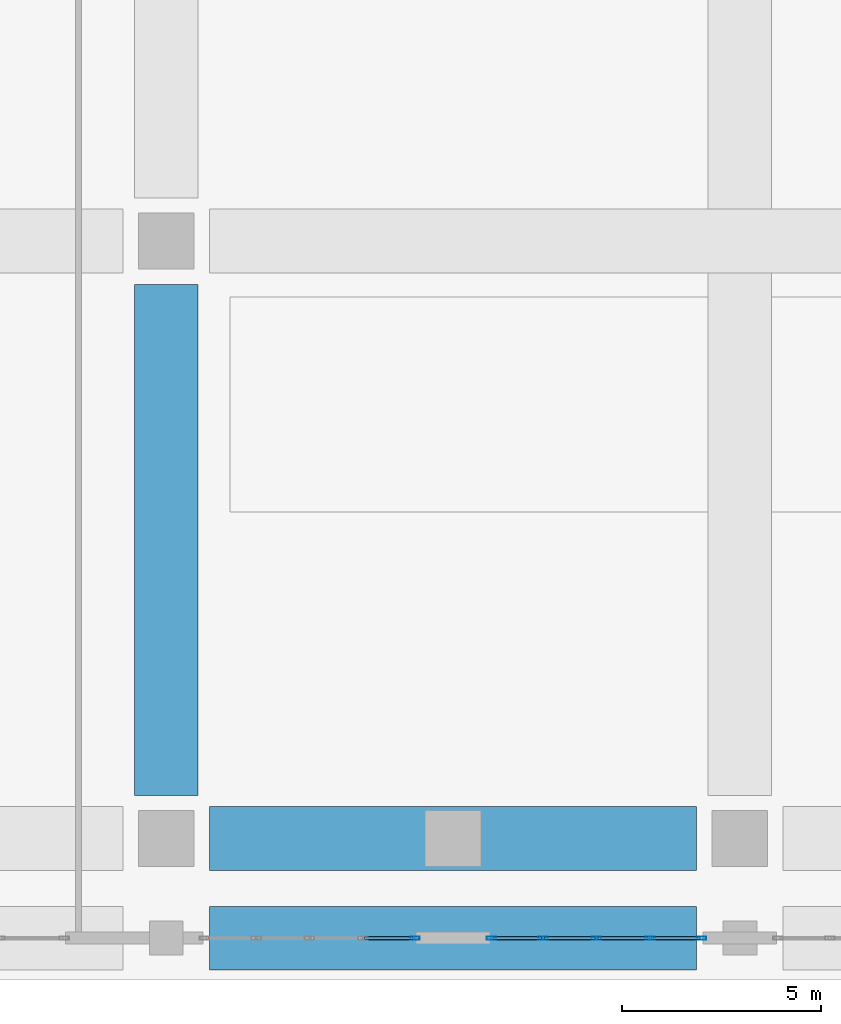
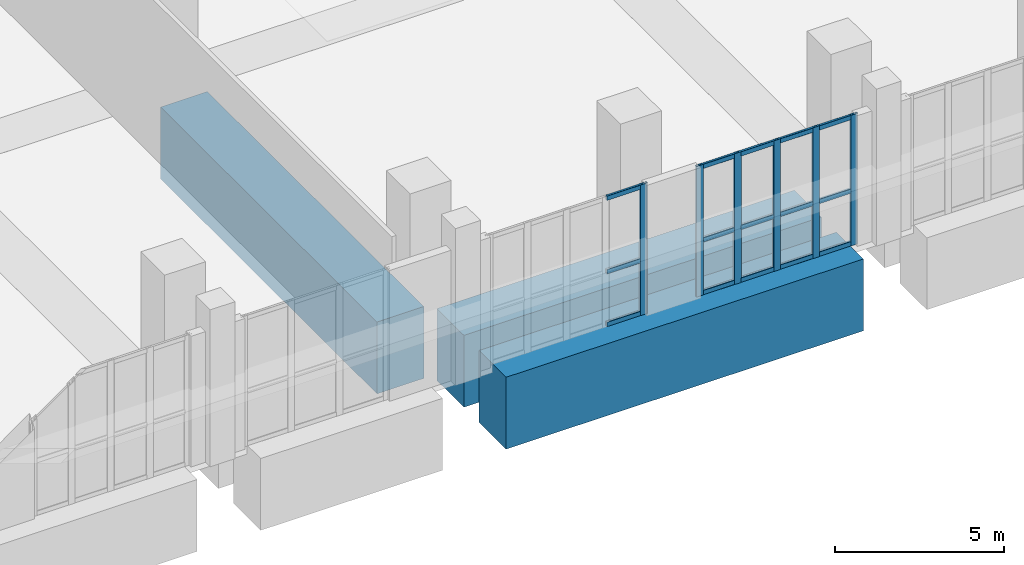
# One storey, part 9 of 25: 21 members, 3 beams, 2 elements without a shape of their own.
"""IFC4 building model written with IfcOpenShell, lengths in metres."""

from ifc_helpers import new_model, si_unit, direction, frame, origin, origin_2d, place, context, subcontext, project, spatial, rectangle, hollow_rectangle, extrude, material, layer, layer_set, material_profile, profile_set, type_object, element, aggregate, save


model = new_model("IFC4")

# Units and contexts
model_context = context("Model", 3, precision=1e-05, world=origin(), true_north=direction((0.0, 1.0)))
body_context = subcontext(model_context, "Body", "Model", "MODEL_VIEW")
ifc_project = project(units=[si_unit("LENGTHUNIT", "METRE"), si_unit("AREAUNIT", "SQUARE_METRE"), si_unit("VOLUMEUNIT", "CUBIC_METRE"), si_unit("PLANEANGLEUNIT", "RADIAN"), si_unit("MASSUNIT", "GRAM", prefix="KILO")], contexts=[model_context])

# Site, building, storey
site_placement = place(None, origin())
site = spatial("IfcSite", under=ifc_project, at=site_placement, CompositionType="ELEMENT")
building_placement = place(site_placement, origin())
building = spatial("IfcBuilding", under=site, at=building_placement, Name="Kaelvorn Grand Hotel", CompositionType="ELEMENT")
storey_placement = place(building_placement, frame((0.0, 0.0, 8.0)))
storey = spatial("IfcBuildingStorey", under=building, at=storey_placement, Name="L01", CompositionType="ELEMENT", Elevation=8.0)

# Beams
ifc_material_1 = material(Name="Concrete C80/95", Category="concrete")
ifc_material_profile_1 = material_profile(ifc_material_1, rectangle(XDim=1.60009765625, YDim=2.60009765625, at=origin_2d()), Name="RC TG 1600x2600")
ifc_profile_set_1 = profile_set([ifc_material_profile_1], Name="Concrete C80/95")
beam_type = type_object("IfcBeamType", Name="BM-TG-1600x2600-C80", PredefinedType="USERDEFINED", material=ifc_profile_set_1)
for number, where, z_axis, x_axis, name in (
    (1, (47.284912109375, -2.5, -1.300048828125), (1.0, 0.0, 0.0), (0.0, 1.0, 0.0), "L01 Pilotis Transfer Girder TGX-S2 04"),
    (2, (47.284912109375, 0.0, -1.300048828125), (1.0, 0.0, 0.0), (0.0, 1.0, 0.0), "L01 Pilotis Transfer Girder TGX-S0 05"),
):
    element("IfcBeam", number, at=place(storey_placement, frame(where, z_axis=z_axis, x_axis=x_axis)), inside=storey, type_object=beam_type, Name=name, ObjectType="TRANSFER GIRDER", PredefinedType="USERDEFINED", context=body_context, shape_type="SweptSolid", body=[
        extrude(rectangle(XDim=1.60009765625, YDim=2.60009765625, at=origin_2d()), origin(), (0.0, 0.0, 1.0), 12.22998046875),
    ])
beam_placement = place(storey_placement, frame((46.199951171875, 1.0849609375, -1.300048828125), z_axis=(0.0, 1.0, 0.0), x_axis=(-1.0, 0.0, 0.0)))
element("IfcBeam", 3, at=beam_placement, inside=storey, type_object=beam_type, Name="L01 Pilotis Transfer Girder TGY-X46 01", ObjectType="TRANSFER GIRDER", PredefinedType="USERDEFINED", context=body_context, shape_type="SweptSolid", body=[
    extrude(rectangle(XDim=1.60009765625, YDim=2.60009765625, at=origin_2d()), origin(), (0.0, 0.0, 1.0), 12.830078125),
])

# Curtain wall, member
ifc_material_2 = material(Name="Anodised Aluminium", Category="aluminium")
ifc_layer = layer(ifc_material_2, 0.239990234375)
ifc_layer_set = layer_set([ifc_layer], Name="Anodised Aluminium")
curtain_wall_type = type_object("IfcCurtainWallType", Name="CW-SYS1", PredefinedType="NOTDEFINED", material=ifc_layer_set)
curtain_wall_1_placement = place(storey_placement, origin())
curtain_wall_1 = element("IfcCurtainWall", 4, at=curtain_wall_1_placement, inside=storey, type_object=curtain_wall_type, Name="L01 Unitised Curtain Wall CW1 (CW-L01-S-06)", PredefinedType="NOTDEFINED")
ifc_material_profile_2 = material_profile(ifc_material_2, hollow_rectangle(XDim=0.080078125, YDim=0.239990234375, WallThickness=0.0048828125, InnerFilletRadius=0.0048828125, OuterFilletRadius=0.010009765625, at=origin_2d()), Name="ALU MULL 80x240")
ifc_profile_set_2 = profile_set([ifc_material_profile_2], Name="Anodised Aluminium")
member_type_1 = type_object("IfcMemberType", Name="CW-SYS1-MULL", PredefinedType="MULLION", material=ifc_profile_set_2)
member_1_placement = place(storey_placement, frame((52.43994140625, -2.5, 0.0), z_axis=(0.0, 0.0, 1.0), x_axis=(0.0, 1.0, 0.0)))
member_1 = element("IfcMember", 5, at=member_1_placement, type_object=member_type_1, Name="CW1 mullion 5", PredefinedType="MULLION", context=body_context, shape_type="SweptSolid", body=[
    extrude(hollow_rectangle(XDim=0.080078125, YDim=0.239990234375, WallThickness=0.0048828125, InnerFilletRadius=0.0048828125, OuterFilletRadius=0.010009765625, at=origin_2d()), origin(), (0.0, 0.0, 1.0), 4.72998046875),
])

# Curtain wall, members
curtain_wall_2_placement = place(storey_placement, origin())
curtain_wall_2 = element("IfcCurtainWall", 6, at=curtain_wall_2_placement, inside=storey, type_object=curtain_wall_type, Name="L01 Unitised Curtain Wall CW1 (CW-L01-S-07)", PredefinedType="NOTDEFINED")
member_2_placement = place(storey_placement, frame((54.360107421875, -2.5, 0.0), z_axis=(0.0, 0.0, 1.0), x_axis=(0.0, 1.0, 0.0)))
member_2 = element("IfcMember", 7, at=member_2_placement, type_object=member_type_1, Name="CW1 mullion 1", PredefinedType="MULLION", context=body_context, shape_type="SweptSolid", body=[
    extrude(hollow_rectangle(XDim=0.080078125, YDim=0.239990234375, WallThickness=0.0048828125, InnerFilletRadius=0.0048828125, OuterFilletRadius=0.010009765625, at=origin_2d()), origin(), (0.0, 0.0, 1.0), 4.72998046875),
])
member_3_placement = place(storey_placement, frame((55.659912109375, -2.5, 0.0), z_axis=(0.0, 0.0, 1.0), x_axis=(0.0, 1.0, 0.0)))
member_3 = element("IfcMember", 8, at=member_3_placement, type_object=member_type_1, Name="CW1 mullion 2", PredefinedType="MULLION", context=body_context, shape_type="SweptSolid", body=[
    extrude(hollow_rectangle(XDim=0.080078125, YDim=0.239990234375, WallThickness=0.0048828125, InnerFilletRadius=0.0048828125, OuterFilletRadius=0.010009765625, at=origin_2d()), origin(), (0.0, 0.0, 1.0), 4.72998046875),
])
member_4_placement = place(storey_placement, frame((57.0, -2.5, 0.0), z_axis=(0.0, 0.0, 1.0), x_axis=(0.0, 1.0, 0.0)))
member_4 = element("IfcMember", 9, at=member_4_placement, type_object=member_type_1, Name="CW1 mullion 3", PredefinedType="MULLION", context=body_context, shape_type="SweptSolid", body=[
    extrude(hollow_rectangle(XDim=0.080078125, YDim=0.239990234375, WallThickness=0.0048828125, InnerFilletRadius=0.0048828125, OuterFilletRadius=0.010009765625, at=origin_2d()), origin(), (0.0, 0.0, 1.0), 4.72998046875),
])
member_5_placement = place(storey_placement, frame((58.340087890625, -2.5, 0.0), z_axis=(0.0, 0.0, 1.0), x_axis=(0.0, 1.0, 0.0)))
member_5 = element("IfcMember", 10, at=member_5_placement, type_object=member_type_1, Name="CW1 mullion 4", PredefinedType="MULLION", context=body_context, shape_type="SweptSolid", body=[
    extrude(hollow_rectangle(XDim=0.080078125, YDim=0.239990234375, WallThickness=0.0048828125, InnerFilletRadius=0.0048828125, OuterFilletRadius=0.010009765625, at=origin_2d()), origin(), (0.0, 0.0, 1.0), 4.72998046875),
])
member_6_placement = place(storey_placement, frame((59.639892578125, -2.5, 0.0), z_axis=(0.0, 0.0, 1.0), x_axis=(0.0, 1.0, 0.0)))
member_6 = element("IfcMember", 11, at=member_6_placement, type_object=member_type_1, Name="CW1 mullion 5", PredefinedType="MULLION", context=body_context, shape_type="SweptSolid", body=[
    extrude(hollow_rectangle(XDim=0.080078125, YDim=0.239990234375, WallThickness=0.0048828125, InnerFilletRadius=0.0048828125, OuterFilletRadius=0.010009765625, at=origin_2d()), origin(), (0.0, 0.0, 1.0), 4.72998046875),
])

# Member
ifc_material_profile_3 = material_profile(ifc_material_2, hollow_rectangle(XDim=0.080078125, YDim=0.1650390625, WallThickness=0.00439453125, InnerFilletRadius=0.00439453125, OuterFilletRadius=0.009033203125, at=origin_2d()), Name="ALU TRAN 80x165")
ifc_profile_set_3 = profile_set([ifc_material_profile_3], Name="Anodised Aluminium")
member_type_2 = type_object("IfcMemberType", Name="CW-SYS1-TRAN", PredefinedType="NOTDEFINED", material=ifc_profile_set_3)
member_7_placement = place(storey_placement, frame((51.179931640625, -2.5, 0.08251953125), z_axis=(1.0, 0.0, 0.0), x_axis=(0.0, 1.0, 0.0)))
member_7 = element("IfcMember", 12, at=member_7_placement, type_object=member_type_2, Name="CW1 transom 4.1", ObjectType="TRANSOM", PredefinedType="USERDEFINED", context=body_context, shape_type="SweptSolid", body=[
    extrude(hollow_rectangle(XDim=0.080078125, YDim=0.1650390625, WallThickness=0.00439453125, InnerFilletRadius=0.00439453125, OuterFilletRadius=0.009033203125, at=origin_2d()), origin(), (0.0, 0.0, 1.0), 1.219970703125),
])

member_8_placement = place(storey_placement, frame((51.179931640625, -2.5, 1.986572265625), z_axis=(1.0, 0.0, 0.0), x_axis=(0.0, 1.0, 0.0)))
member_8 = element("IfcMember", 13, at=member_8_placement, type_object=member_type_2, Name="CW1 transom 4.2", ObjectType="TRANSOM", PredefinedType="USERDEFINED", context=body_context, shape_type="SweptSolid", body=[
    extrude(hollow_rectangle(XDim=0.080078125, YDim=0.1650390625, WallThickness=0.00439453125, InnerFilletRadius=0.00439453125, OuterFilletRadius=0.009033203125, at=origin_2d()), origin(), (0.0, 0.0, 1.0), 1.219970703125),
])

member_9_placement = place(storey_placement, frame((51.179931640625, -2.5, 4.6474609375), z_axis=(1.0, 0.0, 0.0), x_axis=(0.0, 1.0, 0.0)))
member_9 = element("IfcMember", 14, at=member_9_placement, type_object=member_type_2, Name="CW1 transom 4.3", ObjectType="TRANSOM", PredefinedType="USERDEFINED", context=body_context, shape_type="SweptSolid", body=[
    extrude(hollow_rectangle(XDim=0.080078125, YDim=0.1650390625, WallThickness=0.00439453125, InnerFilletRadius=0.00439453125, OuterFilletRadius=0.009033203125, at=origin_2d()), origin(), (0.0, 0.0, 1.0), 1.219970703125),
])

aggregate(curtain_wall_1, [member_1, member_7, member_8, member_9])

member_10_placement = place(storey_placement, frame((54.39990234375, -2.5, 0.08251953125), z_axis=(1.0, 0.0, 0.0), x_axis=(0.0, 1.0, 0.0)))
member_10 = element("IfcMember", 15, at=member_10_placement, type_object=member_type_2, Name="CW1 transom 1.1", ObjectType="TRANSOM", PredefinedType="USERDEFINED", context=body_context, shape_type="SweptSolid", body=[
    extrude(hollow_rectangle(XDim=0.080078125, YDim=0.1650390625, WallThickness=0.00439453125, InnerFilletRadius=0.00439453125, OuterFilletRadius=0.009033203125, at=origin_2d()), origin(), (0.0, 0.0, 1.0), 1.22021484375),
])

member_11_placement = place(storey_placement, frame((54.39990234375, -2.5, 1.986572265625), z_axis=(1.0, 0.0, 0.0), x_axis=(0.0, 1.0, 0.0)))
member_11 = element("IfcMember", 16, at=member_11_placement, type_object=member_type_2, Name="CW1 transom 1.2", ObjectType="TRANSOM", PredefinedType="USERDEFINED", context=body_context, shape_type="SweptSolid", body=[
    extrude(hollow_rectangle(XDim=0.080078125, YDim=0.1650390625, WallThickness=0.00439453125, InnerFilletRadius=0.00439453125, OuterFilletRadius=0.009033203125, at=origin_2d()), origin(), (0.0, 0.0, 1.0), 1.22021484375),
])

member_12_placement = place(storey_placement, frame((54.39990234375, -2.5, 4.6474609375), z_axis=(1.0, 0.0, 0.0), x_axis=(0.0, 1.0, 0.0)))
member_12 = element("IfcMember", 17, at=member_12_placement, type_object=member_type_2, Name="CW1 transom 1.3", ObjectType="TRANSOM", PredefinedType="USERDEFINED", context=body_context, shape_type="SweptSolid", body=[
    extrude(hollow_rectangle(XDim=0.080078125, YDim=0.1650390625, WallThickness=0.00439453125, InnerFilletRadius=0.00439453125, OuterFilletRadius=0.009033203125, at=origin_2d()), origin(), (0.0, 0.0, 1.0), 1.22021484375),
])

member_13_placement = place(storey_placement, frame((55.699951171875, -2.5, 0.08251953125), z_axis=(1.0, 0.0, 0.0), x_axis=(0.0, 1.0, 0.0)))
member_13 = element("IfcMember", 18, at=member_13_placement, type_object=member_type_2, Name="CW1 transom 2.1", ObjectType="TRANSOM", PredefinedType="USERDEFINED", context=body_context, shape_type="SweptSolid", body=[
    extrude(hollow_rectangle(XDim=0.080078125, YDim=0.1650390625, WallThickness=0.00439453125, InnerFilletRadius=0.00439453125, OuterFilletRadius=0.009033203125, at=origin_2d()), origin(), (0.0, 0.0, 1.0), 1.260009765625),
])

member_14_placement = place(storey_placement, frame((55.699951171875, -2.5, 1.986572265625), z_axis=(1.0, 0.0, 0.0), x_axis=(0.0, 1.0, 0.0)))
member_14 = element("IfcMember", 19, at=member_14_placement, type_object=member_type_2, Name="CW1 transom 2.2", ObjectType="TRANSOM", PredefinedType="USERDEFINED", context=body_context, shape_type="SweptSolid", body=[
    extrude(hollow_rectangle(XDim=0.080078125, YDim=0.1650390625, WallThickness=0.00439453125, InnerFilletRadius=0.00439453125, OuterFilletRadius=0.009033203125, at=origin_2d()), origin(), (0.0, 0.0, 1.0), 1.260009765625),
])

member_15_placement = place(storey_placement, frame((55.699951171875, -2.5, 4.6474609375), z_axis=(1.0, 0.0, 0.0), x_axis=(0.0, 1.0, 0.0)))
member_15 = element("IfcMember", 20, at=member_15_placement, type_object=member_type_2, Name="CW1 transom 2.3", ObjectType="TRANSOM", PredefinedType="USERDEFINED", context=body_context, shape_type="SweptSolid", body=[
    extrude(hollow_rectangle(XDim=0.080078125, YDim=0.1650390625, WallThickness=0.00439453125, InnerFilletRadius=0.00439453125, OuterFilletRadius=0.009033203125, at=origin_2d()), origin(), (0.0, 0.0, 1.0), 1.260009765625),
])

member_16_placement = place(storey_placement, frame((57.0400390625, -2.5, 0.08251953125), z_axis=(1.0, 0.0, 0.0), x_axis=(0.0, 1.0, 0.0)))
member_16 = element("IfcMember", 21, at=member_16_placement, type_object=member_type_2, Name="CW1 transom 3.1", ObjectType="TRANSOM", PredefinedType="USERDEFINED", context=body_context, shape_type="SweptSolid", body=[
    extrude(hollow_rectangle(XDim=0.080078125, YDim=0.1650390625, WallThickness=0.00439453125, InnerFilletRadius=0.00439453125, OuterFilletRadius=0.009033203125, at=origin_2d()), origin(), (0.0, 0.0, 1.0), 1.260009765625),
])

member_17_placement = place(storey_placement, frame((57.0400390625, -2.5, 1.986572265625), z_axis=(1.0, 0.0, 0.0), x_axis=(0.0, 1.0, 0.0)))
member_17 = element("IfcMember", 22, at=member_17_placement, type_object=member_type_2, Name="CW1 transom 3.2", ObjectType="TRANSOM", PredefinedType="USERDEFINED", context=body_context, shape_type="SweptSolid", body=[
    extrude(hollow_rectangle(XDim=0.080078125, YDim=0.1650390625, WallThickness=0.00439453125, InnerFilletRadius=0.00439453125, OuterFilletRadius=0.009033203125, at=origin_2d()), origin(), (0.0, 0.0, 1.0), 1.260009765625),
])

member_18_placement = place(storey_placement, frame((57.0400390625, -2.5, 4.6474609375), z_axis=(1.0, 0.0, 0.0), x_axis=(0.0, 1.0, 0.0)))
member_18 = element("IfcMember", 23, at=member_18_placement, type_object=member_type_2, Name="CW1 transom 3.3", ObjectType="TRANSOM", PredefinedType="USERDEFINED", context=body_context, shape_type="SweptSolid", body=[
    extrude(hollow_rectangle(XDim=0.080078125, YDim=0.1650390625, WallThickness=0.00439453125, InnerFilletRadius=0.00439453125, OuterFilletRadius=0.009033203125, at=origin_2d()), origin(), (0.0, 0.0, 1.0), 1.260009765625),
])

member_19_placement = place(storey_placement, frame((58.3798828125, -2.5, 0.08251953125), z_axis=(1.0, 0.0, 0.0), x_axis=(0.0, 1.0, 0.0)))
member_19 = element("IfcMember", 24, at=member_19_placement, type_object=member_type_2, Name="CW1 transom 4.1", ObjectType="TRANSOM", PredefinedType="USERDEFINED", context=body_context, shape_type="SweptSolid", body=[
    extrude(hollow_rectangle(XDim=0.080078125, YDim=0.1650390625, WallThickness=0.00439453125, InnerFilletRadius=0.00439453125, OuterFilletRadius=0.009033203125, at=origin_2d()), origin(), (0.0, 0.0, 1.0), 1.22021484375),
])

member_20_placement = place(storey_placement, frame((58.3798828125, -2.5, 1.986572265625), z_axis=(1.0, 0.0, 0.0), x_axis=(0.0, 1.0, 0.0)))
member_20 = element("IfcMember", 25, at=member_20_placement, type_object=member_type_2, Name="CW1 transom 4.2", ObjectType="TRANSOM", PredefinedType="USERDEFINED", context=body_context, shape_type="SweptSolid", body=[
    extrude(hollow_rectangle(XDim=0.080078125, YDim=0.1650390625, WallThickness=0.00439453125, InnerFilletRadius=0.00439453125, OuterFilletRadius=0.009033203125, at=origin_2d()), origin(), (0.0, 0.0, 1.0), 1.22021484375),
])

member_21_placement = place(storey_placement, frame((58.3798828125, -2.5, 4.6474609375), z_axis=(1.0, 0.0, 0.0), x_axis=(0.0, 1.0, 0.0)))
member_21 = element("IfcMember", 26, at=member_21_placement, type_object=member_type_2, Name="CW1 transom 4.3", ObjectType="TRANSOM", PredefinedType="USERDEFINED", context=body_context, shape_type="SweptSolid", body=[
    extrude(hollow_rectangle(XDim=0.080078125, YDim=0.1650390625, WallThickness=0.00439453125, InnerFilletRadius=0.00439453125, OuterFilletRadius=0.009033203125, at=origin_2d()), origin(), (0.0, 0.0, 1.0), 1.22021484375),
])

aggregate(curtain_wall_2, [member_2, member_3, member_4, member_5, member_6, member_10, member_11, member_12, member_13, member_14, member_15, member_16, member_17, member_18, member_19, member_20, member_21])

save(model, "model.ifc")
